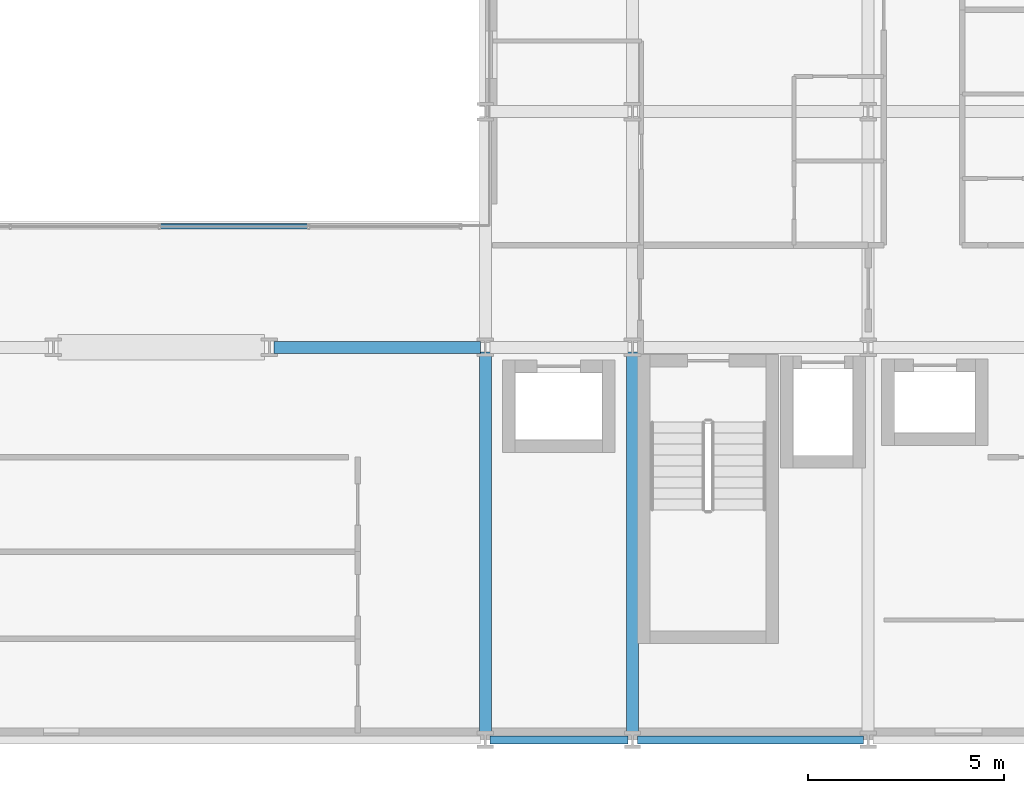
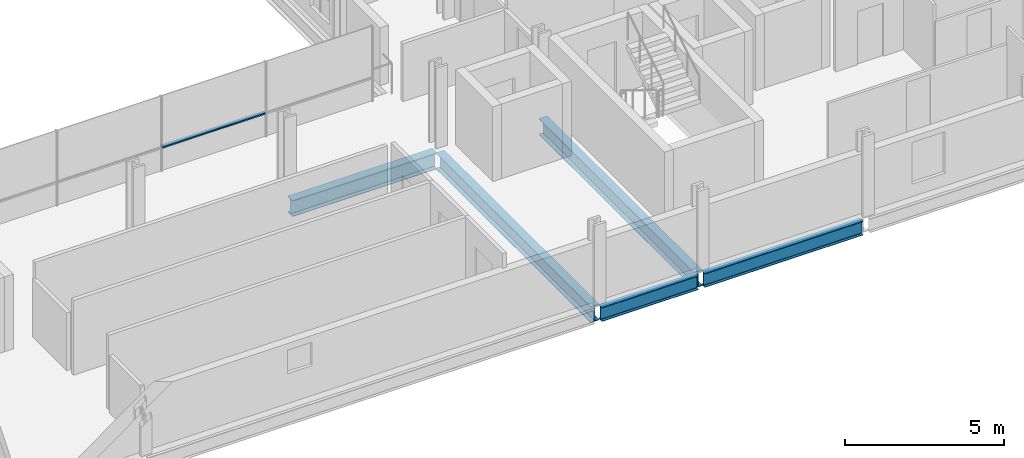
# One storey, part 12 of 39: 5 beams, 1 member, 1 element without a shape of its own.
"""IFC4 building model written with IfcOpenShell, lengths in metres."""

from ifc_helpers import new_model, si_unit, direction, frame, origin, origin_2d, place, context, subcontext, project, spatial, hollow_rectangle, i_section, extrude, material, layer, layer_set, material_profile, profile_set, type_object, element, aggregate, save


model = new_model("IFC4")

# Units and contexts
model_context = context("Model", 3, precision=1e-05, world=origin(), true_north=direction((0.0, 1.0)))
body_context = subcontext(model_context, "Body", "Model", "MODEL_VIEW")
ifc_project = project(units=[si_unit("LENGTHUNIT", "METRE"), si_unit("AREAUNIT", "SQUARE_METRE"), si_unit("VOLUMEUNIT", "CUBIC_METRE"), si_unit("PLANEANGLEUNIT", "RADIAN"), si_unit("MASSUNIT", "GRAM", prefix="KILO")], contexts=[model_context])

# Site, building, storey
site_placement = place(None, origin())
site = spatial("IfcSite", under=ifc_project, at=site_placement, CompositionType="ELEMENT")
building_placement = place(site_placement, origin())
building = spatial("IfcBuilding", under=site, at=building_placement, Name="Brevholm Reach", CompositionType="ELEMENT")
storey_placement = place(building_placement, frame((0.0, 0.0, 34.199951171875)))
storey = spatial("IfcBuildingStorey", under=building, at=storey_placement, Name="L08", CompositionType="ELEMENT", Elevation=34.199951171875)

# Beams
ifc_material_1 = material(Name="Structural Steel S355J2", Category="steel")
ifc_material_profile_1 = material_profile(ifc_material_1, i_section(OverallWidth=0.210693359375, OverallDepth=0.53955078125, WebThickness=0.01171875, FlangeThickness=0.018798828125, FilletRadius=0.0126953125, at=origin_2d()), Name="UKB 533x210x109")
ifc_profile_set_1 = profile_set([ifc_material_profile_1], Name="Structural Steel S355J2")
beam_type_1 = type_object("IfcBeamType", Name="BM-SP539", PredefinedType="SPANDREL", material=ifc_profile_set_1)
beam_1_placement = place(storey_placement, frame((38.3701171875, 0.0, -0.499755859375), z_axis=(1.0, 0.0, 0.0), x_axis=(0.0, 1.0, 0.0)))
element("IfcBeam", 1, at=beam_1_placement, inside=storey, type_object=beam_type_1, Name="L08 SP-01B Framing Beam", PredefinedType="SPANDREL", context=body_context, shape_type="SweptSolid", body=[
    extrude(i_section(OverallWidth=0.210693359375, OverallDepth=0.53955078125, WebThickness=0.01171875, FlangeThickness=0.018798828125, FilletRadius=0.0126953125, at=origin_2d()), origin(), (0.0, 0.0, 1.0), 3.509765625),
])
beam_2_placement = place(storey_placement, frame((42.1201171875, 0.0, -0.499755859375), z_axis=(1.0, 0.0, 0.0), x_axis=(0.0, 1.0, 0.0)))
element("IfcBeam", 2, at=beam_2_placement, inside=storey, type_object=beam_type_1, Name="L08 SP-01B Framing Beam", PredefinedType="SPANDREL", context=body_context, shape_type="SweptSolid", body=[
    extrude(i_section(OverallWidth=0.210693359375, OverallDepth=0.53955078125, WebThickness=0.01171875, FlangeThickness=0.018798828125, FilletRadius=0.0126953125, at=origin_2d()), origin(), (0.0, 0.0, 1.0), 5.759765625),
])
ifc_material_2 = material(Name="Structural Steel S355J2", Category="steel")
ifc_material_profile_2 = material_profile(ifc_material_2, i_section(OverallWidth=0.30712890625, OverallDepth=0.6201171875, WebThickness=0.01416015625, FlangeThickness=0.023681640625, FilletRadius=0.0166015625, at=origin_2d()), Name="UKB 610x305x179")
ifc_profile_set_2 = profile_set([ifc_material_profile_2], Name="Structural Steel S355J2")
beam_type_2 = type_object("IfcBeamType", Name="BM-UKB610H", PredefinedType="USERDEFINED", material=ifc_profile_set_2)
beam_3_placement = place(storey_placement, frame((32.8701171875, 10.0, -0.5400390625), z_axis=(1.0, 0.0, 0.0), x_axis=(0.0, 1.0, 0.0)))
element("IfcBeam", 3, at=beam_3_placement, inside=storey, type_object=beam_type_2, Name="L08 G-06 Framing Beam", ObjectType="GIRDER", PredefinedType="USERDEFINED", context=body_context, shape_type="SweptSolid", body=[
    extrude(i_section(OverallWidth=0.30712890625, OverallDepth=0.6201171875, WebThickness=0.01416015625, FlangeThickness=0.023681640625, FilletRadius=0.0166015625, at=origin_2d()), origin(), (0.0, 0.0, 1.0), 5.259765625),
])
for number, where, z_axis, x_axis, name in (
    (4, (38.25, 0.1201171875, -0.5400390625), (0.0, 1.0, 0.0), (-1.0, 0.0, 0.0), "L08 G-06 Framing Beam"),
    (5, (42.0, 0.1201171875, -0.5400390625), (0.0, 1.0, 0.0), (-1.0, 0.0, 0.0), "L08 G-06 Framing Beam"),
):
    element("IfcBeam", number, at=place(storey_placement, frame(where, z_axis=z_axis, x_axis=x_axis)), inside=storey, type_object=beam_type_2, Name=name, ObjectType="GIRDER", PredefinedType="USERDEFINED", context=body_context, shape_type="SweptSolid", body=[
        extrude(i_section(OverallWidth=0.30712890625, OverallDepth=0.6201171875, WebThickness=0.01416015625, FlangeThickness=0.023681640625, FilletRadius=0.0166015625, at=origin_2d()), origin(), (0.0, 0.0, 1.0), 9.759765625),
    ])

# Curtain wall, member
ifc_material_3 = material(Name="Dark Anodised Aluminium 6063-T6 and Solar-Control Glass", Category="aluminium")
ifc_layer = layer(ifc_material_3, 0.139892578125)
ifc_layer_set = layer_set([ifc_layer], Name="Dark Anodised Aluminium 6063-T6 and Solar-Control Glass")
curtain_wall_type = type_object("IfcCurtainWallType", Name="CW-02", PredefinedType="NOTDEFINED", material=ifc_layer_set)
curtain_wall_placement = place(storey_placement, origin())
curtain_wall = element("IfcCurtainWall", 6, at=curtain_wall_placement, inside=storey, type_object=curtain_wall_type, Name="L08 Curtain Wall CW-02", PredefinedType="NOTDEFINED")
ifc_material_4 = material(Name="Dark Anodised Aluminium 6063-T6", Category="aluminium")
ifc_material_profile_3 = material_profile(ifc_material_4, hollow_rectangle(XDim=0.06005859375, YDim=0.139892578125, WallThickness=0.0048828125, InnerFilletRadius=0.0048828125, OuterFilletRadius=0.010009765625, at=origin_2d()), Name="RHS 140x60x5")
ifc_profile_set_3 = profile_set([ifc_material_profile_3], Name="Dark Anodised Aluminium 6063-T6")
member_type = type_object("IfcMemberType", Name="CWT-140", PredefinedType="NOTDEFINED", material=ifc_profile_set_3)
member_placement = place(storey_placement, frame((29.97998046875, 13.080078125, 0.900146484375), z_axis=(1.0, 0.0, 0.0), x_axis=(0.0, 0.0, 1.0)))
member = element("IfcMember", 7, at=member_placement, type_object=member_type, Name="CT-140 Transom 3.1", ObjectType="TRANSOM", PredefinedType="USERDEFINED", context=body_context, shape_type="SweptSolid", body=[
    extrude(hollow_rectangle(XDim=0.06005859375, YDim=0.139892578125, WallThickness=0.0048828125, InnerFilletRadius=0.0048828125, OuterFilletRadius=0.010009765625, at=origin_2d()), origin(), (0.0, 0.0, 1.0), 3.739990234375),
])
aggregate(curtain_wall, [member])

save(model, "model.ifc")
